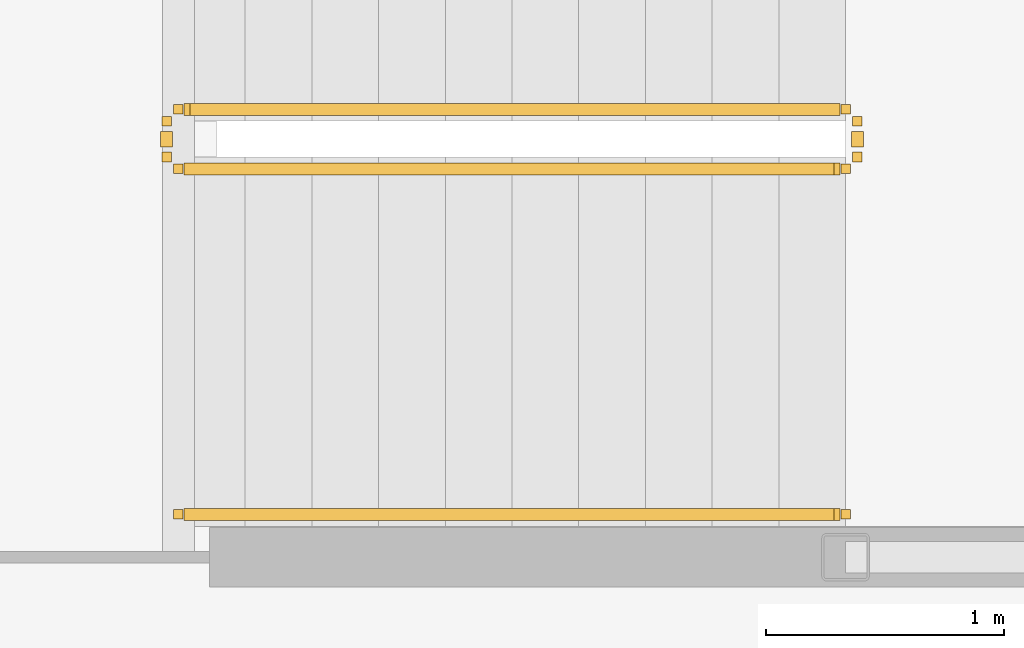
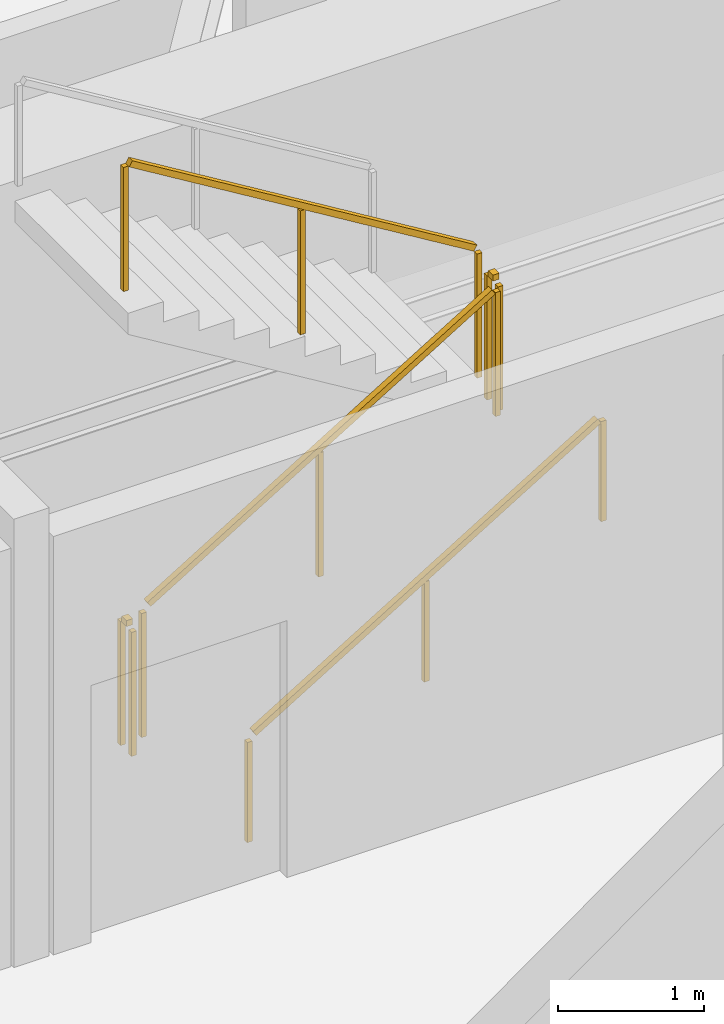
# One storey, part 19 of 20: 5 railings.
"""IFC4 building model written with IfcOpenShell, lengths in metres."""

import ifcopenshell
import ifcopenshell.guid

model = None  # the IFC model being written
_history = None  # IfcOwnerHistory: only IFC2X3 demands one
_inside = {}  # id of a spatial element -> (the spatial element, [elements in it])
_under = {}  # id of a project, library or spatial element -> (it, [spatial elements below it])
_declared = {}  # id of a project -> (the project, [libraries it declares])
_typed = {}  # id of a type object -> (the type object, [elements of that type])
_made_of = {}  # id of a material, layer set ... -> (it, [elements and type objects made of it])


def new_model(schema):
    """Start an empty IFC model of exactly this schema.

    Asked for "IFC4X3", IfcOpenShell would pick the latest addendum, in which some entities
    have other attributes; the version numbers below select the first issue.
    IFC2X3 requires an IfcOwnerHistory on every rooted entity: one is made here for all.
    """
    global model, _history
    if schema == "IFC4X3":
        model = ifcopenshell.file(schema_version=(4, 3, 0, 0))
    else:
        model = ifcopenshell.file(schema=schema)
    _inside.clear()
    _under.clear()
    _declared.clear()
    _typed.clear()
    _made_of.clear()
    _history = None
    if model.schema == "IFC2X3":
        org = make("IfcOrganization", Name="unknown")
        user = make(
            "IfcPersonAndOrganization",
            ThePerson=make("IfcPerson", FamilyName="unknown"),
            TheOrganization=org,
        )
        app = make(
            "IfcApplication",
            ApplicationDeveloper=org,
            Version="unknown",
            ApplicationFullName="unknown",
            ApplicationIdentifier="unknown",
        )
        _history = make(
            "IfcOwnerHistory",
            OwningUser=user,
            OwningApplication=app,
            ChangeAction="ADDED",
            CreationDate=0,
        )
    return model


def make(cls, **values):
    """One entity of the class cls with the attributes given. An attribute that is None is left unset."""
    return model.create_entity(
        cls, **{name: value for name, value in values.items() if value is not None}
    )


def rooted(cls, **values):
    """An entity with a GlobalId (a new one), such as an element, a storey or a relation."""
    return make(cls, GlobalId=ifcopenshell.guid.new(), OwnerHistory=_history, **values)


def si_unit(unit_type, name, prefix=None):
    """IfcSIUnit, for example si_unit("LENGTHUNIT", "METRE", prefix="MILLI")."""
    return make("IfcSIUnit", UnitType=unit_type, Prefix=prefix, Name=name)


def assignment(units):
    """IfcUnitAssignment: the units of a project."""
    return None if units is None else make("IfcUnitAssignment", Units=units)


def point(xyz):
    """IfcCartesianPoint."""
    return None if xyz is None else make("IfcCartesianPoint", Coordinates=xyz)


def direction(xyz):
    """IfcDirection."""
    return None if xyz is None else make("IfcDirection", DirectionRatios=xyz)


def frame(location, z_axis=None, x_axis=None):
    """IfcAxis2Placement3D, a coordinate frame: its origin and axes. An axis left out is left unset."""
    return make(
        "IfcAxis2Placement3D",
        Location=point(location),
        Axis=direction(z_axis),
        RefDirection=direction(x_axis),
    )


def frame_2d(location, x_axis=None):
    """IfcAxis2Placement2D, a coordinate frame in the plane: its origin and x axis."""
    return make(
        "IfcAxis2Placement2D", Location=point(location), RefDirection=direction(x_axis)
    )


def origin():
    """The frame at (0, 0, 0) with its axes left unset."""
    return frame((0.0, 0.0, 0.0))


def origin_2d():
    """The frame at (0, 0) in the plane with its x axis left unset."""
    return frame_2d((0.0, 0.0))


def place(relative_to, where):
    """IfcLocalPlacement: puts the frame where relative to a parent placement (None: the world)."""
    return make(
        "IfcLocalPlacement", PlacementRelTo=relative_to, RelativePlacement=where
    )


def context(
    kind, dimensions, precision=None, world=None, true_north=None, identifier=None
):
    """IfcGeometricRepresentationContext, for example the 3D "Model" context."""
    return make(
        "IfcGeometricRepresentationContext",
        ContextIdentifier=identifier,
        ContextType=kind,
        CoordinateSpaceDimension=dimensions,
        Precision=precision,
        WorldCoordinateSystem=world,
        TrueNorth=true_north,
    )


def subcontext(parent, identifier, kind, view, scale=None):
    """IfcGeometricRepresentationSubContext, for example "Body" below "Model"."""
    return make(
        "IfcGeometricRepresentationSubContext",
        ContextIdentifier=identifier,
        ContextType=kind,
        ParentContext=parent,
        TargetScale=scale,
        TargetView=view,
    )


def project(units=None, contexts=None):
    """IfcProject with its units and contexts."""
    return rooted(
        "IfcProject",
        Name="project",
        RepresentationContexts=contexts,
        UnitsInContext=assignment(units),
    )


def spatial(cls, under=None, at=None, **own):
    """A site, building, storey or space (cls), placed at a placement, below another one or the project."""
    s = rooted(cls, ObjectPlacement=at, **own)
    if under is not None:
        _under.setdefault(under.id(), (under, []))[1].append(s)
    return s


def profile(cls, at=None, kind="AREA", **sizes):
    """A parametric profile (cls). Its sizes go by their IFC names, for example OverallWidth=200.0."""
    return make(cls, ProfileType=kind, Position=at, **sizes)


def rectangle(**sizes):
    """IfcRectangleProfileDef."""
    return profile("IfcRectangleProfileDef", **sizes)


def extrude(swept, where, along, depth):
    """IfcExtrudedAreaSolid: the profile swept, set in the frame where, extruded along a direction by depth."""
    return make(
        "IfcExtrudedAreaSolid",
        SweptArea=swept,
        Position=where,
        ExtrudedDirection=direction(along),
        Depth=depth,
    )


def shape(context_of_items, identifier, shape_type, items):
    """IfcShapeRepresentation: the items that make up one representation, for example the "Body"."""
    return make(
        "IfcShapeRepresentation",
        ContextOfItems=context_of_items,
        RepresentationIdentifier=identifier,
        RepresentationType=shape_type,
        Items=items,
    )


def material(Name=None, Category=None):
    """IfcMaterial."""
    return make("IfcMaterial", Name=Name, Category=Category)


def made_of(thing, what):
    """Note that an element or type object is made of a material, layer set ...; save() writes the relation."""
    if what is not None:
        _made_of.setdefault(what.id(), (what, []))[1].append(thing)
    return thing


def type_object(cls, material=None, **own):
    """A type object (cls), such as IfcWallType, which elements share."""
    return made_of(rooted(cls, **own), material)


def element(
    cls,
    number,
    at=None,
    inside=None,
    cuts=None,
    type_object=None,
    material=None,
    context=None,
    identifier="Body",
    shape_type=None,
    held_by="IfcProductDefinitionShape",
    body=None,
    shapes=None,
    **own,
):
    """One element of the class cls, such as IfcWall. Its Tag is "e" and its number.

    at: its placement. inside: the storey or other place that contains it. cuts: it is an
    opening in that element (IfcRelVoidsElement). A single representation is given by context,
    identifier, shape_type and body (its items); several are given by shapes. held_by: the class
    of the entity that holds the representations. save() writes the other relations.
    """
    e = rooted(cls, Tag="e%d" % number, ObjectPlacement=at, **own)
    if body is not None:
        shapes = [shape(context, identifier, shape_type, body)]
    if shapes is not None:
        e.Representation = make(held_by, Representations=shapes)
    if inside is not None:
        _inside.setdefault(inside.id(), (inside, []))[1].append(e)
    if cuts is not None:
        rooted(
            "IfcRelVoidsElement", RelatingBuildingElement=cuts, RelatedOpeningElement=e
        )
    if type_object is not None:
        _typed.setdefault(type_object.id(), (type_object, []))[1].append(e)
    return made_of(e, material)


def aggregate(whole, parts):
    """IfcRelAggregates: a whole, such as a stair, and the parts it consists of."""
    return rooted("IfcRelAggregates", RelatingObject=whole, RelatedObjects=parts)


def save(model, path):
    """Write the relations noted so far, then the file.

    IfcRelAggregates (storeys below a building ...), IfcRelContainedInSpatialStructure (elements
    in a storey), IfcRelDefinesByType, IfcRelAssociatesMaterial and IfcRelDeclares: one each for
    every whole, place, type object, material and project.
    """
    for whole, parts in _under.values():
        aggregate(whole, parts)
    for where, things in _inside.values():
        rooted(
            "IfcRelContainedInSpatialStructure",
            RelatedElements=things,
            RelatingStructure=where,
        )
    for kind, things in _typed.values():
        rooted("IfcRelDefinesByType", RelatedObjects=things, RelatingType=kind)
    for what, things in _made_of.values():
        rooted("IfcRelAssociatesMaterial", RelatedObjects=things, RelatingMaterial=what)
    for by, libraries in _declared.values():
        rooted("IfcRelDeclares", RelatingContext=by, RelatedDefinitions=libraries)
    model.write(path)


model = new_model("IFC4")

# Units and contexts
model_context = context("Model", 3, precision=1e-05, world=origin(), true_north=direction((0.0, 1.0)))
body_context = subcontext(model_context, "Body", "Model", "MODEL_VIEW")
ifc_project = project(units=[si_unit("LENGTHUNIT", "METRE"), si_unit("AREAUNIT", "SQUARE_METRE"), si_unit("VOLUMEUNIT", "CUBIC_METRE"), si_unit("PLANEANGLEUNIT", "RADIAN"), si_unit("MASSUNIT", "GRAM", prefix="KILO")], contexts=[model_context])

# Site, building, storey
site_placement = place(None, origin())
site = spatial("IfcSite", under=ifc_project, at=site_placement, CompositionType="ELEMENT")
building_placement = place(site_placement, origin())
building = spatial("IfcBuilding", under=site, at=building_placement, Name="Kazma Halo Residences", CompositionType="ELEMENT")
storey_placement = place(building_placement, frame((0.0, 0.0, 157.800048828125)))
storey = spatial("IfcBuildingStorey", under=building, at=storey_placement, Name="L39", CompositionType="ELEMENT", Elevation=157.800048828125)

# Railings
ifc_material_1 = material(Name="Painted Steel S355", Category="steel")
railing_type_1 = type_object("IfcRailingType", Name="RLG-STAIR-GRD-1100", PredefinedType="GUARDRAIL", material=ifc_material_1)
railing_1_placement = place(storey_placement, frame((53.199951171875, 48.25, 0.17041015625)))
element("IfcRailing", 1, at=railing_1_placement, inside=storey, type_object=railing_type_1, Name="L39 ST-02 stair guard 1", PredefinedType="GUARDRAIL", context=body_context, shape_type="SweptSolid", body=[
    extrude(rectangle(XDim=0.050048828125, YDim=0.050048828125, at=origin_2d()), frame((0.036376953125, 0.0, 1.09716796875), z_axis=(0.854169791009, 0.0, 0.51999420009), x_axis=(0.0, 1.0, 0.0)), (0.0, 0.0, 1.0), 3.193115234375),
    extrude(rectangle(XDim=0.0400390625, YDim=0.0400390625, at=origin_2d()), origin(), (0.0, 0.0, 1.0), 1.0380859375),
    extrude(rectangle(XDim=0.0400390625, YDim=0.0400390625, at=origin_2d()), frame((1.39990234375, 0.0, 0.852294921875)), (0.0, 0.0, 1.0), 1.0380859375),
    extrude(rectangle(XDim=0.0400390625, YDim=0.0400390625, at=origin_2d()), frame((2.800048828125, 0.0, 1.70458984375)), (0.0, 0.0, 1.0), 1.0380859375),
])
railing_2_placement = place(storey_placement, frame((56.050048828125, 48.300048828125, 1.875)))
element("IfcRailing", 2, at=railing_2_placement, inside=storey, type_object=railing_type_1, Name="L39 ST-02 stair guard 2", PredefinedType="GUARDRAIL", context=body_context, shape_type="SweptSolid", body=[
    extrude(rectangle(XDim=0.050048828125, YDim=0.050048828125, at=origin_2d()), frame((0.0, 0.04248046875, 1.0751953125), z_axis=(0.0, 1.0, 0.0), x_axis=(-1.0, 0.0, 0.0)), (0.0, 0.0, 1.0), 0.06494140625),
    extrude(rectangle(XDim=0.0400390625, YDim=0.0400390625, at=origin_2d()), origin(), (0.0, 0.0, 1.0), 1.0380859375),
    extrude(rectangle(XDim=0.0400390625, YDim=0.0400390625, at=origin_2d()), frame((0.0, 0.14990234375, 0.0)), (0.0, 0.0, 1.0), 1.0380859375),
])
railing_3_placement = place(storey_placement, frame((56.0, 48.5, 2.04541015625)))
element("IfcRailing", 3, at=railing_3_placement, inside=storey, type_object=railing_type_1, Name="L39 ST-02 stair guard 3", PredefinedType="GUARDRAIL", context=body_context, shape_type="SweptSolid", body=[
    extrude(rectangle(XDim=0.050048828125, YDim=0.050048828125, at=origin_2d()), frame((-0.036376953125, 0.0, 1.09716796875), z_axis=(-0.854169791009, 0.0, 0.51999420009), x_axis=(0.0, -1.0, 0.0)), (0.0, 0.0, 1.0), 3.193115234375),
    extrude(rectangle(XDim=0.0400390625, YDim=0.0400390625, at=origin_2d()), origin(), (0.0, 0.0, 1.0), 1.0380859375),
    extrude(rectangle(XDim=0.0400390625, YDim=0.0400390625, at=origin_2d()), frame((-1.39990234375, 0.0, 0.852294921875)), (0.0, 0.0, 1.0), 1.0380859375),
    extrude(rectangle(XDim=0.0400390625, YDim=0.0400390625, at=origin_2d()), frame((-2.800048828125, 0.0, 1.70458984375)), (0.0, 0.0, 1.0), 1.0380859375),
])
railing_4_placement = place(storey_placement, frame((53.14990234375, 48.300048828125, 0.0)))
element("IfcRailing", 4, at=railing_4_placement, inside=storey, type_object=railing_type_1, Name="L39 ST-02 stair guard 4", PredefinedType="GUARDRAIL", context=body_context, shape_type="SweptSolid", body=[
    extrude(rectangle(XDim=0.050048828125, YDim=0.050048828125, at=origin_2d()), frame((0.0, 0.04248046875, 1.0751953125), z_axis=(0.0, 1.0, 0.0), x_axis=(-1.0, 0.0, 0.0)), (0.0, 0.0, 1.0), 0.06494140625),
    extrude(rectangle(XDim=0.0400390625, YDim=0.0400390625, at=origin_2d()), origin(), (0.0, 0.0, 1.0), 1.0380859375),
    extrude(rectangle(XDim=0.0400390625, YDim=0.0400390625, at=origin_2d()), frame((0.0, 0.14990234375, 0.0)), (0.0, 0.0, 1.0), 1.0380859375),
])
ifc_material_2 = material(Name="Brushed Stainless Steel", Category="steel")
railing_type_2 = type_object("IfcRailingType", Name="RLG-STAIR-HND-900", PredefinedType="HANDRAIL", material=ifc_material_2)
railing_5_placement = place(storey_placement, frame((53.199951171875, 46.800048828125, 0.17041015625)))
element("IfcRailing", 5, at=railing_5_placement, inside=storey, type_object=railing_type_2, Name="L39 ST-02 stair handrail 1", PredefinedType="HANDRAIL", context=body_context, shape_type="SweptSolid", body=[
    extrude(rectangle(XDim=0.050048828125, YDim=0.050048828125, at=origin_2d()), frame((0.036376953125, 0.0, 0.89697265625), z_axis=(0.854169791009, 0.0, 0.51999420009), x_axis=(0.0, 1.0, 0.0)), (0.0, 0.0, 1.0), 3.193115234375),
    extrude(rectangle(XDim=0.0400390625, YDim=0.0400390625, at=origin_2d()), origin(), (0.0, 0.0, 1.0), 0.837890625),
    extrude(rectangle(XDim=0.0400390625, YDim=0.0400390625, at=origin_2d()), frame((1.39990234375, 0.0, 0.852294921875)), (0.0, 0.0, 1.0), 0.837890625),
    extrude(rectangle(XDim=0.0400390625, YDim=0.0400390625, at=origin_2d()), frame((2.800048828125, 0.0, 1.70458984375)), (0.0, 0.0, 1.0), 0.837890625),
])

save(model, "model.ifc")
